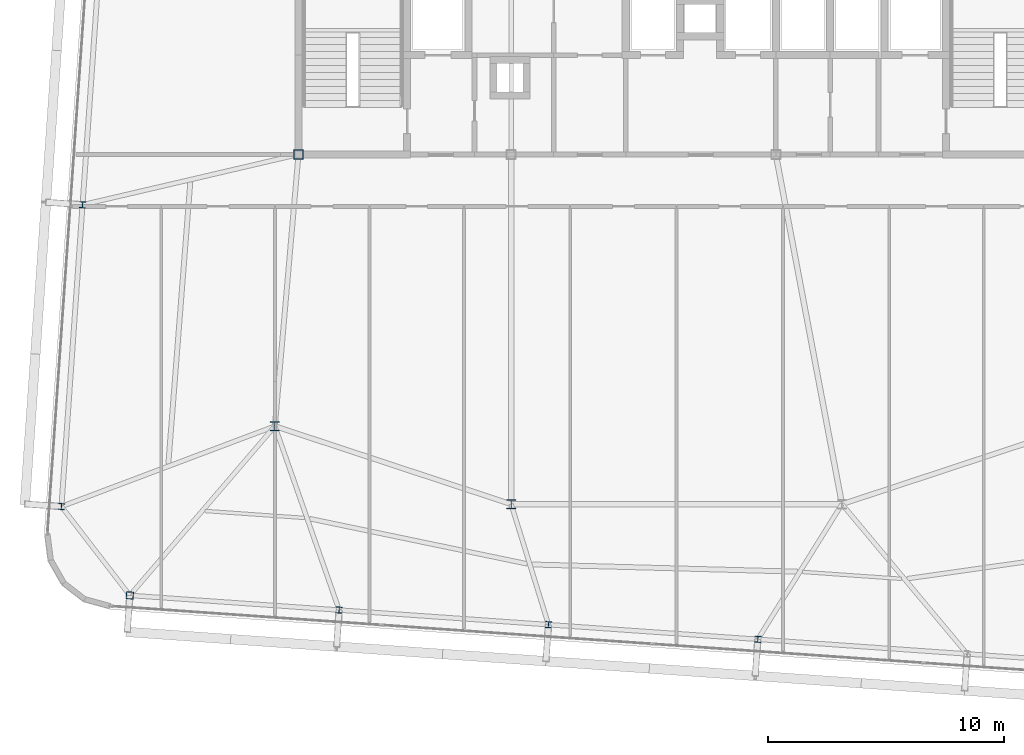
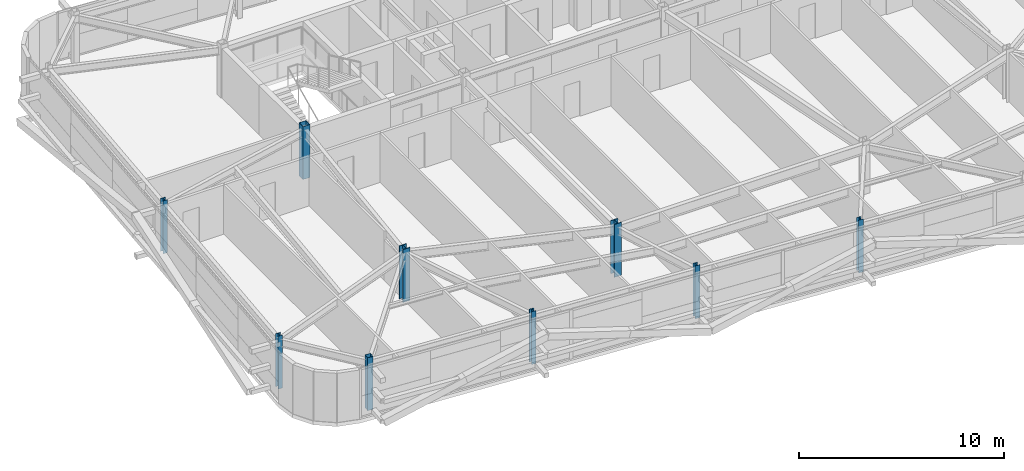
# One storey, part 1 of 39: 9 columns.
"""IFC4 building model written with IfcOpenShell, lengths in metres."""

from ifc_helpers import new_model, si_unit, direction, frame, origin, origin_2d, place, context, subcontext, project, spatial, hollow_rectangle, i_section, extrude, source, transform, mapped, material, material_profile, profile_set, type_object, element, save


model = new_model("IFC4")

# Units and contexts
model_context = context("Model", 3, precision=1e-05, world=origin(), true_north=direction((0.0, 1.0)))
body_context = subcontext(model_context, "Body", "Model", "MODEL_VIEW")
ifc_project = project(units=[si_unit("LENGTHUNIT", "METRE"), si_unit("AREAUNIT", "SQUARE_METRE"), si_unit("VOLUMEUNIT", "CUBIC_METRE"), si_unit("PLANEANGLEUNIT", "RADIAN"), si_unit("MASSUNIT", "GRAM", prefix="KILO")], contexts=[model_context])

# Site, building, storey
site_placement = place(None, origin())
site = spatial("IfcSite", under=ifc_project, at=site_placement, CompositionType="ELEMENT")
building_placement = place(site_placement, origin())
building = spatial("IfcBuilding", under=site, at=building_placement, Name="Taldren Reach Tower", CompositionType="ELEMENT")
storey_placement = place(building_placement, frame((0.0, 0.0, 158.199951171875)))
storey = spatial("IfcBuildingStorey", under=building, at=storey_placement, Name="L48", CompositionType="ELEMENT", Elevation=158.199951171875)

# Columns
ifc_material_1 = material(Name="Steel Gr 350 (350PLUS)", Category="steel")
ifc_material_profile_1 = material_profile(ifc_material_1, i_section(OverallWidth=0.39990234375, OverallDepth=0.39599609375, WebThickness=0.02197265625, FlangeThickness=0.033935546875, at=origin_2d()), Name="400WC270")
ifc_profile_set_1 = profile_set([ifc_material_profile_1], Name="Steel Gr 350 (350PLUS)")
column_type_1 = type_object("IfcColumnType", Name="COL-WC400", PredefinedType="COLUMN", material=ifc_profile_set_1)
shared_shape_1 = source(origin(), body_context, "Body", "SweptSolid", [
    extrude(i_section(OverallWidth=0.39990234375, OverallDepth=0.39599609375, WebThickness=0.02197265625, FlangeThickness=0.033935546875, at=origin_2d()), origin(), (0.0, 0.0, 1.0), 3.150146484375),
])
for number, where, z_axis, x_axis, name in (
    (1, (28.0, 9.199951171875, 0.0), (0.0, 0.0, 1.0), (1.0, 0.0, 0.0), "Mega column MC-PJW L48"),
    (2, (18.0, 12.5, 0.0), (0.0, 0.0, 1.0), (1.0, 0.0, 0.0), "Mega column MC-SW L48"),
):
    element("IfcColumn", number, at=place(storey_placement, frame(where, z_axis=z_axis, x_axis=x_axis)), inside=storey, type_object=column_type_1, Name=name, PredefinedType="COLUMN", context=body_context, shape_type="MappedRepresentation", body=[
        mapped(shared_shape_1, transform((0.0, 0.0, 0.0), scale=1.0)),
    ])
ifc_material_2 = material(Name="Steel Gr 450 (C450L0)", Category="steel")
ifc_material_profile_2 = material_profile(ifc_material_2, hollow_rectangle(XDim=0.39990234375, YDim=0.39990234375, WallThickness=0.01611328125, at=origin_2d()), Name="400x400x16.0SHS")
ifc_profile_set_2 = profile_set([ifc_material_profile_2], Name="Steel Gr 450 (C450L0)")
column_type_2 = type_object("IfcColumnType", Name="COL-SHS400", PredefinedType="COLUMN", material=ifc_profile_set_2)
shared_shape_2 = source(origin(), body_context, "Body", "SweptSolid", [
    extrude(hollow_rectangle(XDim=0.39990234375, YDim=0.39990234375, WallThickness=0.01611328125, at=origin_2d()), origin(), (0.0, 0.0, 1.0), 3.150146484375),
])
column_1_placement = place(storey_placement, frame((19.0, 24.0, 0.0), z_axis=(0.0, 0.0, 1.0), x_axis=(1.0, 0.0, 0.0)))
element("IfcColumn", 3, at=column_1_placement, inside=storey, type_object=column_type_2, Name="Mega column MC-C1 L48", PredefinedType="COLUMN", context=body_context, shape_type="MappedRepresentation", body=[
    mapped(shared_shape_2, transform((0.0, 0.0, 0.0), scale=1.0)),
])
ifc_material_profile_3 = material_profile(ifc_material_2, hollow_rectangle(XDim=0.300048828125, YDim=0.300048828125, WallThickness=0.012451171875, at=origin_2d()), Name="300x300x12.5SHS")
ifc_profile_set_3 = profile_set([ifc_material_profile_3], Name="Steel Gr 450 (C450L0)")
column_type_3 = type_object("IfcColumnType", Name="COL-SHS300", PredefinedType="COLUMN", material=ifc_profile_set_3)
shared_shape_3 = source(origin(), body_context, "Body", "SweptSolid", [
    extrude(hollow_rectangle(XDim=0.300048828125, YDim=0.300048828125, WallThickness=0.012451171875, at=origin_2d()), origin(), (0.0, 0.0, 1.0), 3.150146484375),
])
column_2_placement = place(storey_placement, frame((11.863525390625, 5.33837890625, 0.0), z_axis=(0.0, 0.0, 1.0), x_axis=(0.99756405026, -0.069756473744, 0.0)))
element("IfcColumn", 4, at=column_2_placement, inside=storey, type_object=column_type_3, Name="Block B3 perimeter column S1 L48", PredefinedType="COLUMN", context=body_context, shape_type="MappedRepresentation", body=[
    mapped(shared_shape_3, transform((0.0, 0.0, 0.0), scale=1.0)),
])
ifc_material_profile_4 = material_profile(ifc_material_1, i_section(OverallWidth=0.256103515625, OverallDepth=0.260009765625, WebThickness=0.010498046875, FlangeThickness=0.017333984375, at=origin_2d()), Name="250UC89.5")
ifc_profile_set_4 = profile_set([ifc_material_profile_4], Name="Steel Gr 350 (350PLUS)")
column_type_4 = type_object("IfcColumnType", Name="COL-UC250", PredefinedType="COLUMN", material=ifc_profile_set_4)
shared_shape_4 = source(origin(), body_context, "Body", "SweptSolid", [
    extrude(i_section(OverallWidth=0.256103515625, OverallDepth=0.260009765625, WebThickness=0.010498046875, FlangeThickness=0.017333984375, at=origin_2d()), origin(), (0.0, 0.0, 1.0), 3.150146484375),
])
for number, where, z_axis, x_axis, name in (
    (5, (20.721923828125, 4.718994140625, 0.0), (0.0, 0.0, 1.0), (0.99756405026, -0.069756473744, 0.0), "Block B3 perimeter column S2 L48"),
    (6, (29.580322265625, 4.099609375, 0.0), (0.0, 0.0, 1.0), (0.99756405026, -0.069756473744, 0.0), "Block B3 perimeter column S3 L48"),
    (7, (38.438720703125, 3.480224609375, 0.0), (0.0, 0.0, 1.0), (0.99756405026, -0.069756473744, 0.0), "Block B3 perimeter column S4 L48"),
    (8, (8.96875, 9.099609375, 0.0), (0.0, 0.0, 1.0), (0.99756405026, -0.069756473744, 0.0), "Block B3 perimeter column W1 L48"),
    (9, (9.86181640625, 21.868408203125, 0.0), (0.0, 0.0, 1.0), (0.99756405026, -0.069756473744, 0.0), "Block B3 perimeter column W2 L48"),
):
    element("IfcColumn", number, at=place(storey_placement, frame(where, z_axis=z_axis, x_axis=x_axis)), inside=storey, type_object=column_type_4, Name=name, PredefinedType="COLUMN", context=body_context, shape_type="MappedRepresentation", body=[
        mapped(shared_shape_4, transform((0.0, 0.0, 0.0), scale=1.0)),
    ])

save(model, "model.ifc")
